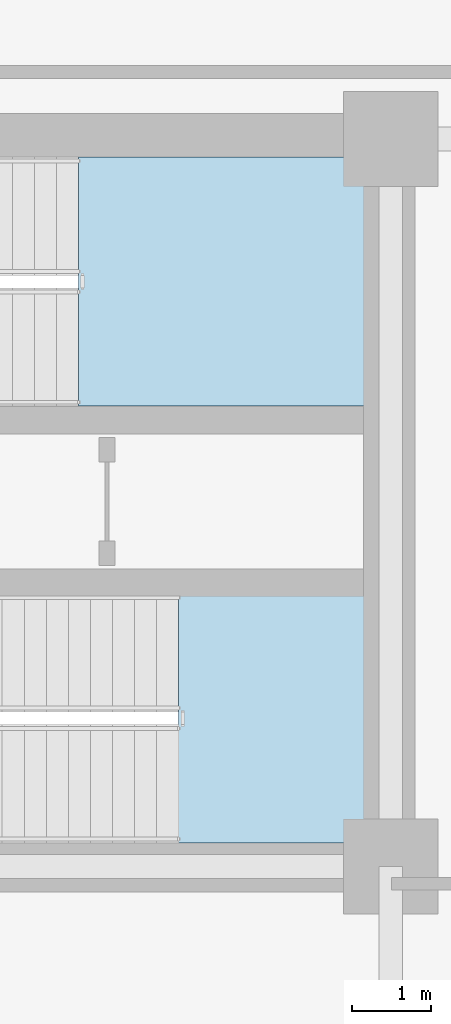
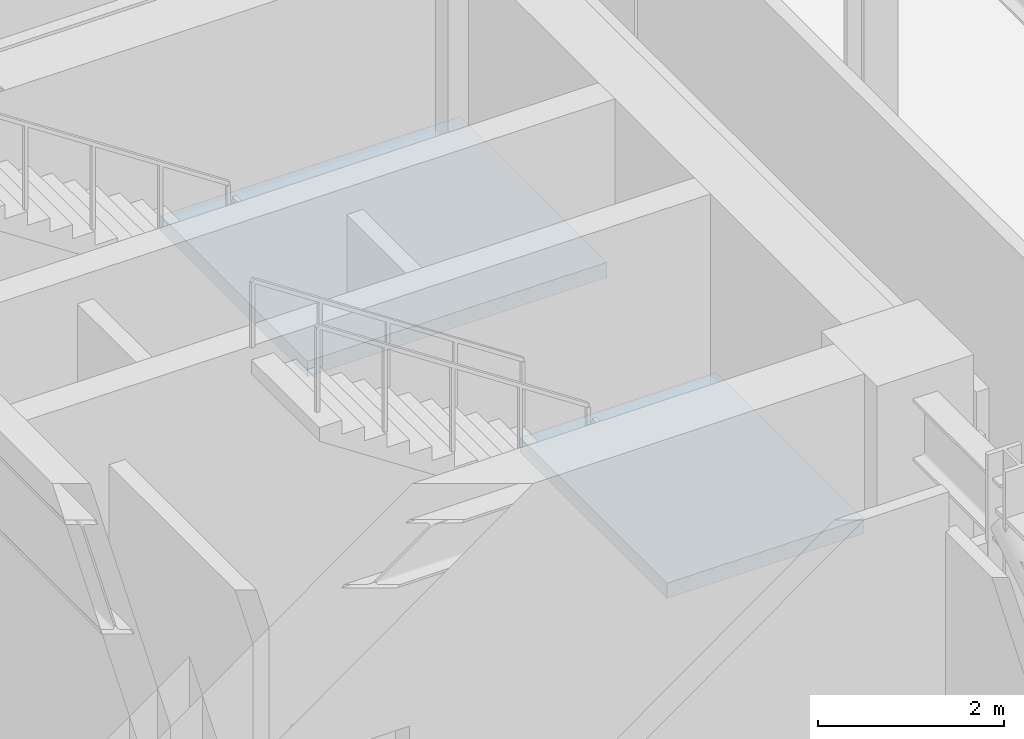
# One storey, part 6 of 13: 2 slabs, 2 elements without a shape of their own.
"""IFC4 building model written with IfcOpenShell, lengths in metres."""

from ifc_helpers import new_model, si_unit, direction, frame, origin, place, context, subcontext, project, spatial, polyline, outline, extrude, material, layer, layer_set, type_object, element, aggregate, save


model = new_model("IFC4")

# Units and contexts
model_context = context("Model", 3, precision=1e-05, world=origin(), true_north=direction((0.0, 1.0)))
body_context = subcontext(model_context, "Body", "Model", "MODEL_VIEW")
ifc_project = project(units=[si_unit("LENGTHUNIT", "METRE"), si_unit("AREAUNIT", "SQUARE_METRE"), si_unit("VOLUMEUNIT", "CUBIC_METRE"), si_unit("PLANEANGLEUNIT", "RADIAN"), si_unit("MASSUNIT", "GRAM", prefix="KILO")], contexts=[model_context])

# Site, building, storey
site_placement = place(None, origin())
site = spatial("IfcSite", under=ifc_project, at=site_placement, CompositionType="ELEMENT")
building_placement = place(site_placement, origin())
building = spatial("IfcBuilding", under=site, at=building_placement, Name="Zarnavel Station Tower", CompositionType="ELEMENT")
storey_placement = place(building_placement, frame((0.0, 0.0, 132.89990234375)))
storey = spatial("IfcBuildingStorey", under=building, at=storey_placement, Name="L36", CompositionType="ELEMENT", Elevation=132.89990234375)

# Stair, slab
ifc_material_1 = material(Name="Concrete C45/55", Category="concrete")
stair_type = type_object("IfcStairType", Name="ST_CORE_150", PredefinedType="HALF_TURN_STAIR", material=ifc_material_1)
stair_1_placement = place(storey_placement, origin())
stair_1 = element("IfcStair", 1, at=stair_1_placement, inside=storey, type_object=stair_type, Name="L36 Core Exit Stair ST2", PredefinedType="HALF_TURN_STAIR")
ifc_material_2 = material(Name="Concrete C45/55", Category="concrete")
ifc_layer = layer(ifc_material_2, 0.199951171875)
ifc_layer_set = layer_set([ifc_layer], Name="SL_STAIR_LAND_200")
slab_type = type_object("IfcSlabType", Name="SL_STAIR_LAND_200", PredefinedType="LANDING", material=ifc_layer_set)
slab_1_placement = place(storey_placement, frame((0.0, 0.0, 2.2001953125)))
slab_1 = element("IfcSlab", 2, at=slab_1_placement, type_object=slab_type, Name="ST2 landing 1", PredefinedType="LANDING", context=body_context, shape_type="SweptSolid", body=[
    extrude(outline(polyline([(41.43994140625, 33.659912109375), (45.159912109375, 33.659912109375), (45.159912109375, 36.820068359375), (41.43994140625, 36.820068359375), (41.43994140625, 33.659912109375)])), origin(), (0.0, 0.0, 1.0), 0.199951171875),
])
aggregate(stair_1, [slab_1])

stair_2_placement = place(storey_placement, origin())
stair_2 = element("IfcStair", 3, at=stair_2_placement, inside=storey, type_object=stair_type, Name="L36 Core Exit Stair ST3", PredefinedType="HALF_TURN_STAIR")
slab_2_placement = place(storey_placement, frame((0.0, 0.0, 2.2001953125)))
slab_2 = element("IfcSlab", 4, at=slab_2_placement, type_object=slab_type, Name="ST3 landing 1", PredefinedType="LANDING", context=body_context, shape_type="SweptSolid", body=[
    extrude(outline(polyline([(42.7099609375, 28.1201171875), (45.14990234375, 28.1201171875), (45.14990234375, 31.280029296875), (42.7099609375, 31.280029296875), (42.7099609375, 28.1201171875)])), origin(), (0.0, 0.0, 1.0), 0.199951171875),
])
aggregate(stair_2, [slab_2])

save(model, "model.ifc")
